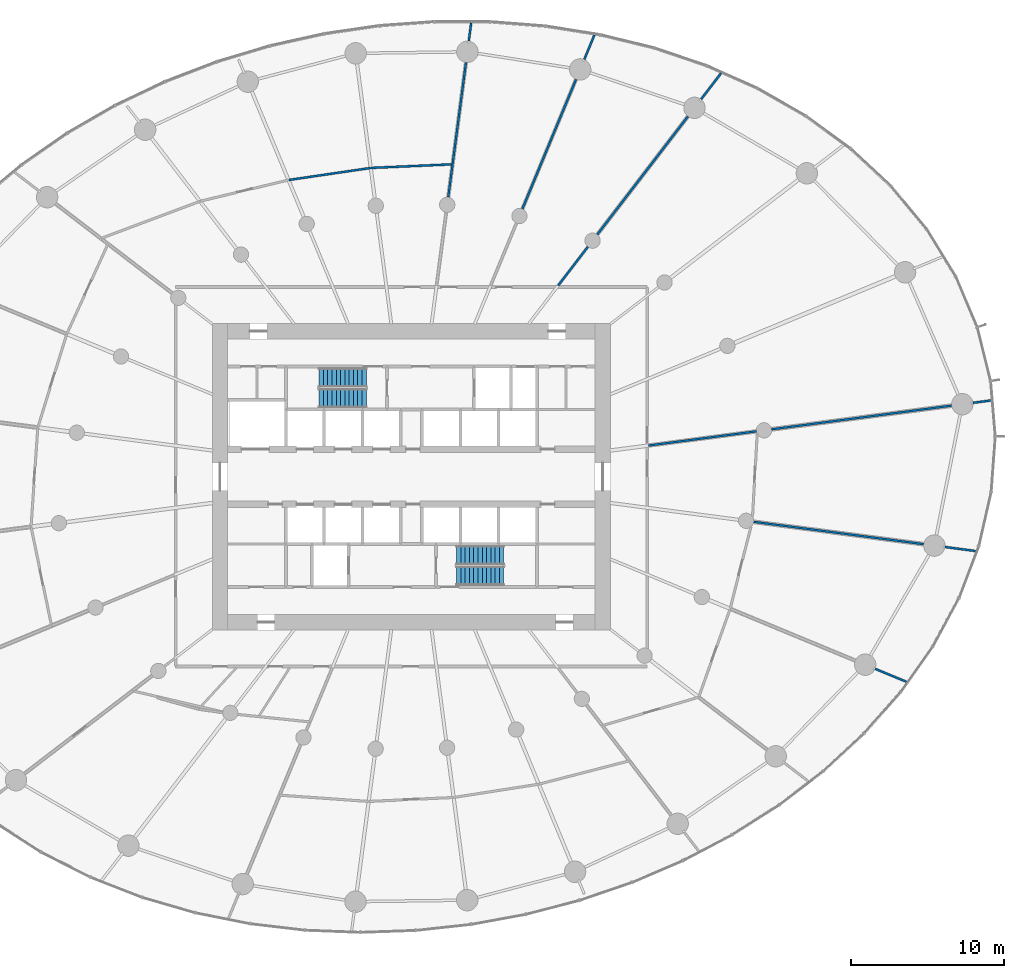
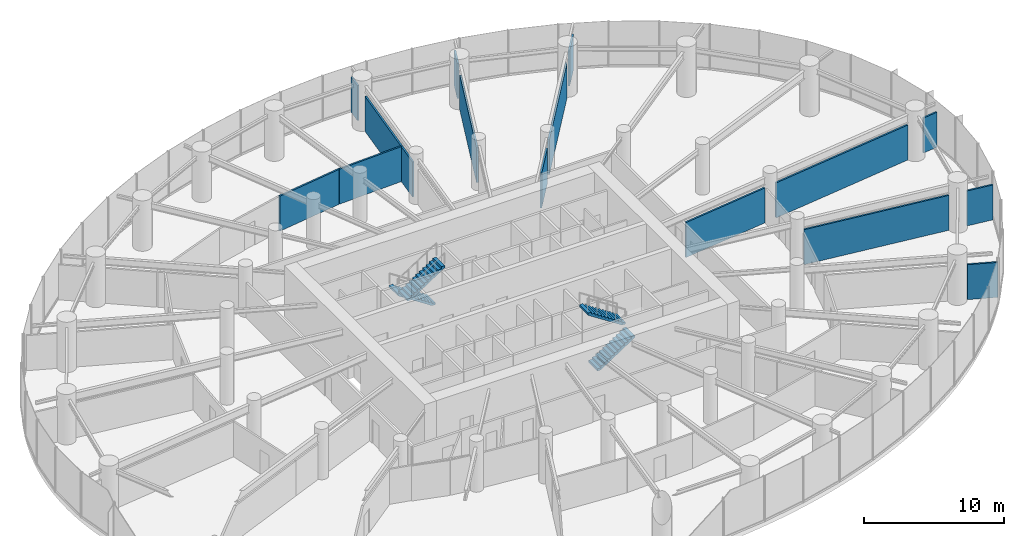
# One storey, part 16 of 19: 16 walls, 4 stair flights, 2 elements without a shape of their own.
"""IFC4 building model written with IfcOpenShell, lengths in metres."""

from ifc_helpers import new_model, si_unit, direction, frame, frame_2d, origin, place, context, subcontext, project, spatial, line, indexed_curve, rectangle, outline, extrude, material, layer, layer_set, type_object, element, aggregate, save


model = new_model("IFC4")

# Units and contexts
model_context = context("Model", 3, precision=1e-05, world=origin(), true_north=direction((0.0, 1.0)))
body_context = subcontext(model_context, "Body", "Model", "MODEL_VIEW")
ifc_project = project(units=[si_unit("LENGTHUNIT", "METRE"), si_unit("AREAUNIT", "SQUARE_METRE"), si_unit("VOLUMEUNIT", "CUBIC_METRE"), si_unit("PLANEANGLEUNIT", "RADIAN"), si_unit("MASSUNIT", "GRAM", prefix="KILO")], contexts=[model_context])

# Site, building, storey
site_placement = place(None, origin())
site = spatial("IfcSite", under=ifc_project, at=site_placement, CompositionType="ELEMENT")
building_placement = place(site_placement, origin())
building = spatial("IfcBuilding", under=site, at=building_placement, Name="Spindrift Exchange Tower", CompositionType="ELEMENT")
storey_placement = place(building_placement, frame((0.0, 0.0, 53.39990234375)))
storey = spatial("IfcBuildingStorey", under=building, at=storey_placement, Name="L12", CompositionType="ELEMENT", Elevation=53.39990234375)

# Walls
ifc_material_1 = material(Name="Fire-rated plasterboard partition", Category="gypsum")
ifc_layer_1 = layer(ifc_material_1, 0.139892578125)
ifc_layer_set_1 = layer_set([ifc_layer_1], Name="W-PART-140")
wall_type_1 = type_object("IfcWallType", Name="W-PART-140", PredefinedType="PARTITIONING", material=ifc_layer_set_1)
wall_1_placement = place(storey_placement, frame((75.533935546875, 51.098388671875, 0.0), z_axis=(0.0, 0.0, 1.0), x_axis=(0.991446586451, 0.130513088287, 0.0)))
element("IfcWall", 1, at=wall_1_placement, inside=storey, type_object=wall_type_1, Name="L12 Partition wall 65", PredefinedType="PARTITIONING", context=body_context, shape_type="SweptSolid", body=[
    extrude(rectangle(XDim=11.85986328125, YDim=0.139892578125, at=frame_2d((5.929931640625, 0.0))), origin(), (0.0, 0.0, 1.0), 3.050048828125),
])
wall_2_placement = place(storey_placement, frame((74.36328125, 45.055908203125, 0.0), z_axis=(0.0, 0.0, 1.0), x_axis=(0.991443306772, -0.130538000051, 0.0)))
element("IfcWall", 2, at=wall_2_placement, inside=storey, type_object=wall_type_1, Name="L12 Partition wall 66", PredefinedType="PARTITIONING", context=body_context, shape_type="SweptSolid", body=[
    extrude(rectangle(XDim=11.1953125, YDim=0.139892578125, at=frame_2d((5.59765625, 0.0))), origin(), (0.0, 0.0, 1.0), 3.050048828125),
])
wall_3_placement = place(storey_placement, frame((64.14208984375, 63.823974609375, 0.0), z_axis=(0.0, 0.0, 1.0), x_axis=(0.608770295053, 0.793346537057, 0.0)))
element("IfcWall", 3, at=wall_3_placement, inside=storey, type_object=wall_type_1, Name="L12 Partition wall 68", PredefinedType="PARTITIONING", context=body_context, shape_type="SweptSolid", body=[
    extrude(rectangle(XDim=9.727294921875, YDim=0.139892578125, at=frame_2d((4.86376953125, 0.0))), origin(), (0.0, 0.0, 1.0), 3.050048828125),
])
wall_4_placement = place(storey_placement, frame((67.489990234375, 50.039306640625, 0.0), z_axis=(0.0, 0.0, 1.0), x_axis=(0.99144622305, 0.130515848849, 0.0)))
element("IfcWall", 4, at=wall_4_placement, inside=storey, type_object=wall_type_1, Name="L12 Partition wall 74", PredefinedType="PARTITIONING", context=body_context, shape_type="SweptSolid", body=[
    extrude(rectangle(XDim=7.1044921875, YDim=0.139892578125, at=frame_2d((3.55224609375, 0.0))), origin(), (0.0, 0.0, 1.0), 3.050048828125),
])
wall_5_placement = place(storey_placement, frame((49.343994140625, 68.174560546875, 0.0), z_axis=(0.0, 0.0, 1.0), x_axis=(-0.989377499091, -0.145369062366, 0.0)))
element("IfcWall", 5, at=wall_5_placement, inside=storey, type_object=wall_type_1, Name="L12 Partition wall 93", PredefinedType="PARTITIONING", context=body_context, shape_type="SweptSolid", body=[
    extrude(rectangle(XDim=5.401123046875, YDim=0.139892578125, at=frame_2d((2.70068359375, 0.0))), origin(), (0.0, 0.0, 1.0), 3.050048828125),
])
wall_6_placement = place(storey_placement, frame((54.6572265625, 68.409423828125, 0.0), z_axis=(0.0, 0.0, 1.0), x_axis=(-0.999023656057, -0.044178440869, 0.0)))
element("IfcWall", 6, at=wall_6_placement, inside=storey, type_object=wall_type_1, Name="L12 Partition wall 95", PredefinedType="PARTITIONING", context=body_context, shape_type="SweptSolid", body=[
    extrude(rectangle(XDim=5.28857421875, YDim=0.139892578125, at=frame_2d((2.644287109375, 0.0))), origin(), (0.0, 0.0, 1.0), 3.050048828125),
])
wall_7_placement = place(storey_placement, frame((61.583984375, 60.489990234375, 0.0), z_axis=(0.0, 0.0, 1.0), x_axis=(0.60874605662, 0.793365135703, 0.0)))
element("IfcWall", 7, at=wall_7_placement, inside=storey, type_object=wall_type_1, Name="L12 Partition wall 107", PredefinedType="PARTITIONING", context=body_context, shape_type="SweptSolid", body=[
    extrude(rectangle(XDim=3.193603515625, YDim=0.139892578125, at=frame_2d((1.5966796875, 0.0))), origin(), (0.0, 0.0, 1.0), 3.050048828125),
])
wall_8_placement = place(storey_placement, frame((82.2958984375, 35.450927734375, 0.0), z_axis=(0.0, 0.0, 1.0), x_axis=(0.923899948789, -0.382634139392, 0.0)))
element("IfcWall", 8, at=wall_8_placement, inside=storey, type_object=wall_type_1, Name="L12 Partition wall 112", PredefinedType="PARTITIONING", context=body_context, shape_type="SweptSolid", body=[
    extrude(rectangle(XDim=2.214599609375, YDim=0.139892578125, at=frame_2d((1.107421875, 0.0))), origin(), (0.0, 0.0, 1.0), 3.050048828125),
])
wall_9_placement = place(storey_placement, frame((70.9208984375, 72.658447265625, 0.0), z_axis=(0.0, 0.0, 1.0), x_axis=(0.608822106268, 0.793306777306, 0.0)))
element("IfcWall", 9, at=wall_9_placement, inside=storey, type_object=wall_type_1, Name="L12 Partition wall 117", PredefinedType="PARTITIONING", context=body_context, shape_type="SweptSolid", body=[
    extrude(rectangle(XDim=2.15185546875, YDim=0.139892578125, at=frame_2d((1.075927734375, 0.0))), origin(), (0.0, 0.0, 1.0), 3.050048828125),
])
wall_10_placement = place(storey_placement, frame((86.859375, 43.41064453125, 0.0), z_axis=(0.0, 0.0, 1.0), x_axis=(0.991443960057, -0.130533038219, 0.0)))
element("IfcWall", 10, at=wall_10_placement, inside=storey, type_object=wall_type_1, Name="L12 Partition wall 119", PredefinedType="PARTITIONING", context=body_context, shape_type="SweptSolid", body=[
    extrude(rectangle(XDim=2.010498046875, YDim=0.139892578125, at=frame_2d((1.00537109375, 0.0))), origin(), (0.0, 0.0, 1.0), 3.050048828125),
])
wall_11_placement = place(storey_placement, frame((88.688720703125, 52.830078125, 0.0), z_axis=(0.0, 0.0, 1.0), x_axis=(0.991424298155, 0.130682290411, 0.0)))
element("IfcWall", 11, at=wall_11_placement, inside=storey, type_object=wall_type_1, Name="L12 Partition wall 130", PredefinedType="PARTITIONING", context=body_context, shape_type="SweptSolid", body=[
    extrude(rectangle(XDim=1.219970703125, YDim=0.139892578125, at=frame_2d((0.60986328125, 0.0))), origin(), (0.0, 0.0, 1.0), 3.050048828125),
])
ifc_layer_2 = layer(ifc_material_1, 0.139892578125)
ifc_layer_set_2 = layer_set([ifc_layer_2], Name="W-PLANT-140")
wall_type_2 = type_object("IfcWallType", Name="W-PLANT-140", PredefinedType="PARTITIONING", material=ifc_layer_set_2)
wall_12_placement = place(storey_placement, frame((59.247802734375, 65.497802734375, 0.0), z_axis=(0.0, 0.0, 1.0), x_axis=(0.382672728165, 0.923883966264, 0.0)))
element("IfcWall", 12, at=wall_12_placement, inside=storey, type_object=wall_type_2, Name="L12 Partition wall 69", PredefinedType="PARTITIONING", context=body_context, shape_type="SweptSolid", body=[
    extrude(rectangle(XDim=9.15966796875, YDim=0.139892578125, at=frame_2d((4.579833984375, 0.0))), origin(), (0.0, 0.0, 1.0), 3.050048828125),
])
wall_13_placement = place(storey_placement, frame((54.68701171875, 68.41064453125, 0.0), z_axis=(0.0, 0.0, 1.0), x_axis=(0.130547690074, 0.99144203089, 0.0)))
element("IfcWall", 13, at=wall_13_placement, inside=storey, type_object=wall_type_2, Name="L12 Partition wall 77", PredefinedType="PARTITIONING", context=body_context, shape_type="SweptSolid", body=[
    extrude(rectangle(XDim=6.7099609375, YDim=0.139892578125, at=frame_2d((3.35498046875, 0.0))), origin(), (0.0, 0.0, 1.0), 3.050048828125),
])
wall_14_placement = place(storey_placement, frame((54.405029296875, 66.267333984375, 0.0), z_axis=(0.0, 0.0, 1.0), x_axis=(0.130430814721, 0.991457413393, 0.0)))
element("IfcWall", 14, at=wall_14_placement, inside=storey, type_object=wall_type_2, Name="L12 Partition wall 115", PredefinedType="PARTITIONING", context=body_context, shape_type="SweptSolid", body=[
    extrude(rectangle(XDim=2.132080078125, YDim=0.139892578125, at=frame_2d((1.06591796875, 0.0))), origin(), (0.0, 0.0, 1.0), 3.050048828125),
])
wall_15_placement = place(storey_placement, frame((63.29248046875, 75.2626953125, 0.0), z_axis=(0.0, 0.0, 1.0), x_axis=(0.382632674553, 0.923900555452, 0.0)))
element("IfcWall", 15, at=wall_15_placement, inside=storey, type_object=wall_type_2, Name="L12 Partition wall 126", PredefinedType="PARTITIONING", context=body_context, shape_type="SweptSolid", body=[
    extrude(rectangle(XDim=1.71435546875, YDim=0.139892578125, at=frame_2d((0.857177734375, 0.0))), origin(), (0.0, 0.0, 1.0), 3.050048828125),
])
wall_16_placement = place(storey_placement, frame((55.746826171875, 76.459716796875, 0.0), z_axis=(0.0, 0.0, 1.0), x_axis=(0.130449264586, 0.991454986053, 0.0)))
element("IfcWall", 16, at=wall_16_placement, inside=storey, type_object=wall_type_2, Name="L12 Partition wall 132", PredefinedType="PARTITIONING", context=body_context, shape_type="SweptSolid", body=[
    extrude(rectangle(XDim=1.203369140625, YDim=0.139892578125, at=frame_2d((0.6015625, 0.0))), origin(), (0.0, 0.0, 1.0), 3.050048828125),
])

# Stair, stair flights
ifc_material_2 = material(Name="Concrete 50 MPa", Category="concrete")
stair_type = type_object("IfcStairType", Name="ST-1250-R183", PredefinedType="HALF_TURN_STAIR", material=ifc_material_2)
stair_1_placement = place(storey_placement, origin())
stair_1 = element("IfcStair", 17, at=stair_1_placement, inside=storey, type_object=stair_type, Name="L12 Exit stair ST1", PredefinedType="HALF_TURN_STAIR")
stair_flight_type = type_object("IfcStairFlightType", Name="STF-1250-R183", PredefinedType="STRAIGHT", material=ifc_material_2)
stair_flight_1_placement = place(storey_placement, frame((49.050048828125, 54.47509765625, 0.0), z_axis=(0.0, 0.0, 1.0), x_axis=(-1.0, 0.0, 0.0)))
stair_flight_1 = element("IfcStairFlight", 18, at=stair_flight_1_placement, type_object=stair_flight_type, Name="ST1 flight 1", NumberOfRisers=12, NumberOfTreads=11, PredefinedType="STRAIGHT", RiserHeight=0.183333333, TreadLength=0.28, context=body_context, shape_type="SweptSolid", body=[
    extrude(outline(indexed_curve([(0.0, 0.0), (0.0, 0.18359375), (0.2802734375, 0.18359375), (0.2802734375, 0.3662109375), (0.5595703125, 0.3662109375), (0.5595703125, 0.5498046875), (0.83984375, 0.5498046875), (0.83984375, 0.7333984375), (1.1201171875, 0.7333984375), (1.1201171875, 0.9169921875), (1.400390625, 0.9169921875), (1.400390625, 1.099609375), (1.6796875, 1.099609375), (1.6796875, 1.283203125), (1.9599609375, 1.283203125), (1.9599609375, 1.466796875), (2.240234375, 1.466796875), (2.240234375, 1.650390625), (2.51953125, 1.650390625), (2.51953125, 1.8330078125), (2.7998046875, 1.8330078125), (2.7998046875, 2.0166015625), (3.080078125, 2.0166015625), (3.080078125, 2.2001953125), (3.080078125, 1.837890625), (0.2734375, 0.0)], segments=[line(1, 2, 3, 4, 5, 6, 7, 8, 9, 10, 11, 12, 13, 14, 15, 16, 17, 18, 19, 20, 21, 22, 23, 24, 25, 26, 1)], self_intersect=False)), frame((0.0, 0.625, 0.0), z_axis=(0.0, -1.0, 0.0), x_axis=(1.0, 0.0, 0.0)), (0.0, 0.0, 1.0), 1.25),
])
stair_flight_2_placement = place(storey_placement, frame((45.969970703125, 53.125, 2.2001953125), z_axis=(0.0, 0.0, 1.0), x_axis=(1.0, 0.0, 0.0)))
stair_flight_2 = element("IfcStairFlight", 19, at=stair_flight_2_placement, type_object=stair_flight_type, Name="ST1 flight 2", NumberOfRisers=12, NumberOfTreads=11, PredefinedType="STRAIGHT", RiserHeight=0.183333333, TreadLength=0.28, context=body_context, shape_type="SweptSolid", body=[
    extrude(outline(indexed_curve([(0.0, 0.0), (0.0, 0.18359375), (0.2802734375, 0.18359375), (0.2802734375, 0.3662109375), (0.5595703125, 0.3662109375), (0.5595703125, 0.5498046875), (0.83984375, 0.5498046875), (0.83984375, 0.7333984375), (1.1201171875, 0.7333984375), (1.1201171875, 0.9169921875), (1.400390625, 0.9169921875), (1.400390625, 1.099609375), (1.6796875, 1.099609375), (1.6796875, 1.283203125), (1.9599609375, 1.283203125), (1.9599609375, 1.466796875), (2.240234375, 1.466796875), (2.240234375, 1.650390625), (2.51953125, 1.650390625), (2.51953125, 1.8330078125), (2.7998046875, 1.8330078125), (2.7998046875, 2.0166015625), (3.080078125, 2.0166015625), (3.080078125, 2.2001953125), (3.080078125, 1.837890625), (0.2734375, 0.0)], segments=[line(1, 2, 3, 4, 5, 6, 7, 8, 9, 10, 11, 12, 13, 14, 15, 16, 17, 18, 19, 20, 21, 22, 23, 24, 25, 26, 1)], self_intersect=False)), frame((0.0, 0.625, 0.0), z_axis=(0.0, -1.0, 0.0), x_axis=(1.0, 0.0, 0.0)), (0.0, 0.0, 1.0), 1.25),
])
aggregate(stair_1, [stair_flight_1, stair_flight_2])

stair_2_placement = place(storey_placement, origin())
stair_2 = element("IfcStair", 20, at=stair_2_placement, inside=storey, type_object=stair_type, Name="L12 Exit stair ST2", PredefinedType="HALF_TURN_STAIR")
stair_flight_3_placement = place(storey_placement, frame((54.949951171875, 41.52490234375, 0.0), z_axis=(0.0, 0.0, 1.0), x_axis=(1.0, 0.0, 0.0)))
stair_flight_3 = element("IfcStairFlight", 21, at=stair_flight_3_placement, type_object=stair_flight_type, Name="ST2 flight 1", NumberOfRisers=12, NumberOfTreads=11, PredefinedType="STRAIGHT", RiserHeight=0.183333333, TreadLength=0.28, context=body_context, shape_type="SweptSolid", body=[
    extrude(outline(indexed_curve([(0.0, 0.0), (0.0, 0.18359375), (0.2802734375, 0.18359375), (0.2802734375, 0.3662109375), (0.5595703125, 0.3662109375), (0.5595703125, 0.5498046875), (0.83984375, 0.5498046875), (0.83984375, 0.7333984375), (1.1201171875, 0.7333984375), (1.1201171875, 0.9169921875), (1.400390625, 0.9169921875), (1.400390625, 1.099609375), (1.6796875, 1.099609375), (1.6796875, 1.283203125), (1.9599609375, 1.283203125), (1.9599609375, 1.466796875), (2.240234375, 1.466796875), (2.240234375, 1.650390625), (2.51953125, 1.650390625), (2.51953125, 1.8330078125), (2.7998046875, 1.8330078125), (2.7998046875, 2.0166015625), (3.080078125, 2.0166015625), (3.080078125, 2.2001953125), (3.080078125, 1.837890625), (0.2734375, 0.0)], segments=[line(1, 2, 3, 4, 5, 6, 7, 8, 9, 10, 11, 12, 13, 14, 15, 16, 17, 18, 19, 20, 21, 22, 23, 24, 25, 26, 1)], self_intersect=False)), frame((0.0, 0.625, 0.0), z_axis=(0.0, -1.0, 0.0), x_axis=(1.0, 0.0, 0.0)), (0.0, 0.0, 1.0), 1.25),
])
stair_flight_4_placement = place(storey_placement, frame((58.030029296875, 42.875, 2.2001953125), z_axis=(0.0, 0.0, 1.0), x_axis=(-1.0, 0.0, 0.0)))
stair_flight_4 = element("IfcStairFlight", 22, at=stair_flight_4_placement, type_object=stair_flight_type, Name="ST2 flight 2", NumberOfRisers=12, NumberOfTreads=11, PredefinedType="STRAIGHT", RiserHeight=0.183333333, TreadLength=0.28, context=body_context, shape_type="SweptSolid", body=[
    extrude(outline(indexed_curve([(0.0, 0.0), (0.0, 0.18359375), (0.2802734375, 0.18359375), (0.2802734375, 0.3662109375), (0.5595703125, 0.3662109375), (0.5595703125, 0.5498046875), (0.83984375, 0.5498046875), (0.83984375, 0.7333984375), (1.1201171875, 0.7333984375), (1.1201171875, 0.9169921875), (1.400390625, 0.9169921875), (1.400390625, 1.099609375), (1.6796875, 1.099609375), (1.6796875, 1.283203125), (1.9599609375, 1.283203125), (1.9599609375, 1.466796875), (2.240234375, 1.466796875), (2.240234375, 1.650390625), (2.51953125, 1.650390625), (2.51953125, 1.8330078125), (2.7998046875, 1.8330078125), (2.7998046875, 2.0166015625), (3.080078125, 2.0166015625), (3.080078125, 2.2001953125), (3.080078125, 1.837890625), (0.2734375, 0.0)], segments=[line(1, 2, 3, 4, 5, 6, 7, 8, 9, 10, 11, 12, 13, 14, 15, 16, 17, 18, 19, 20, 21, 22, 23, 24, 25, 26, 1)], self_intersect=False)), frame((0.0, 0.625, 0.0), z_axis=(0.0, -1.0, 0.0), x_axis=(1.0, 0.0, 0.0)), (0.0, 0.0, 1.0), 1.25),
])
aggregate(stair_2, [stair_flight_3, stair_flight_4])

save(model, "model.ifc")
